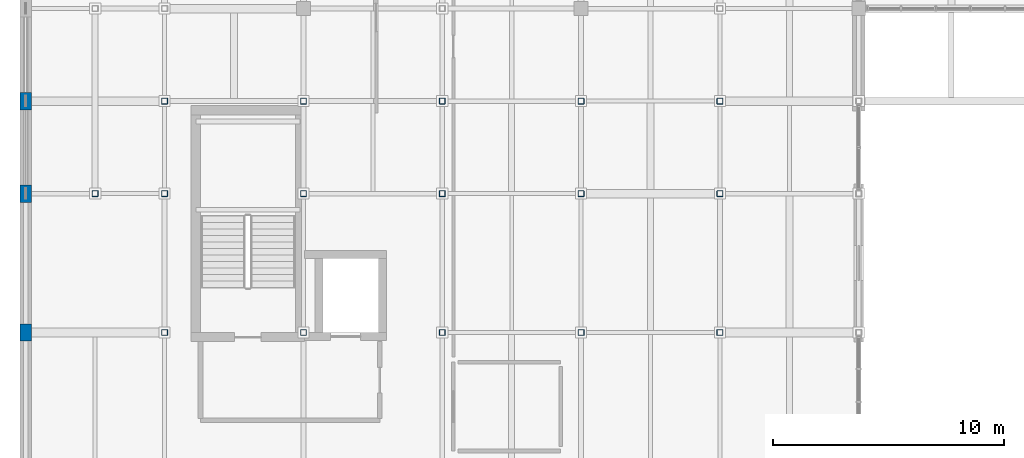
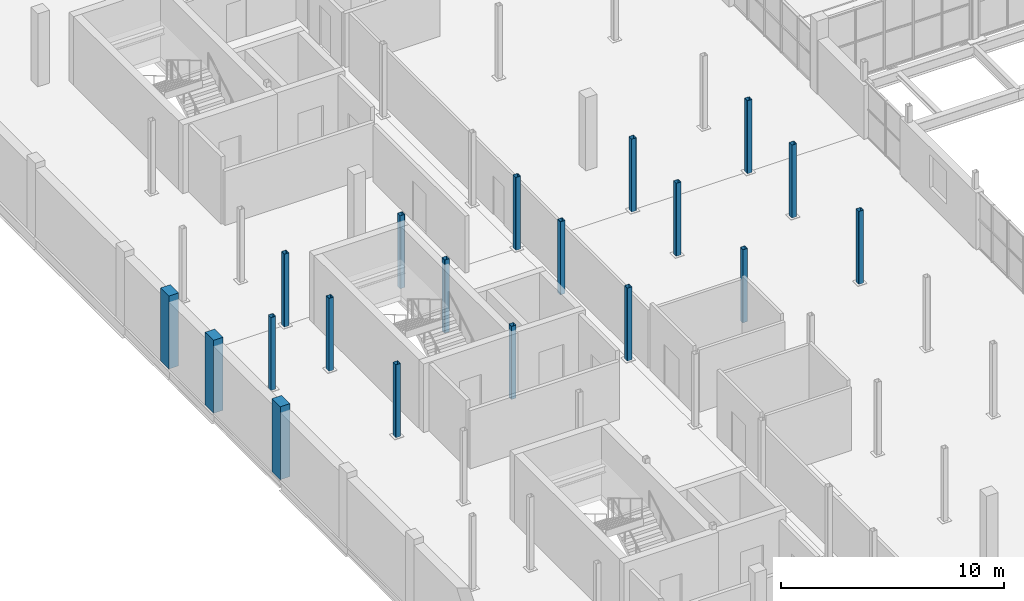
# One storey, part 5 of 96: 19 columns.
"""IFC4 building model written with IfcOpenShell, lengths in metres."""

from ifc_helpers import new_model, si_unit, direction, frame, origin, origin_2d, place, context, subcontext, project, spatial, rectangle, hollow_rectangle, extrude, material, material_profile, profile_set, type_object, element, save


model = new_model("IFC4")

# Units and contexts
model_context = context("Model", 3, precision=1e-05, world=origin(), true_north=direction((0.0, 1.0)))
body_context = subcontext(model_context, "Body", "Model", "MODEL_VIEW")
ifc_project = project(units=[si_unit("LENGTHUNIT", "METRE"), si_unit("AREAUNIT", "SQUARE_METRE"), si_unit("VOLUMEUNIT", "CUBIC_METRE"), si_unit("PLANEANGLEUNIT", "RADIAN"), si_unit("MASSUNIT", "GRAM", prefix="KILO")], contexts=[model_context])

# Site, building, storey
site_placement = place(None, origin())
site = spatial("IfcSite", under=ifc_project, at=site_placement, CompositionType="ELEMENT")
building_placement = place(site_placement, origin())
building = spatial("IfcBuilding", under=site, at=building_placement, Name="Verrall Gate Interchange", CompositionType="ELEMENT")
storey_placement = place(building_placement, frame((0.0, 0.0, 11.39990234375)))
storey = spatial("IfcBuildingStorey", under=building, at=storey_placement, Name="L03", CompositionType="ELEMENT", Elevation=11.39990234375)

# Columns
ifc_material_1 = material(Name="Concrete CSA A23.1 40 MPa (Class C-1)", Category="concrete")
ifc_material_profile_1 = material_profile(ifc_material_1, rectangle(XDim=0.5, YDim=0.75, at=origin_2d()), Name="RC500x750")
ifc_profile_set_1 = profile_set([ifc_material_profile_1], Name="Concrete CSA A23.1 40 MPa (Class C-1)")
column_type_1 = type_object("IfcColumnType", Name="C-05 Pilaster RC500x750", PredefinedType="PILASTER", material=ifc_profile_set_1)
for number, where, z_axis, x_axis, name in (
    (1, (0.0, 34.0, 0.0), (0.0, 0.0, 1.0), (1.0, 0.0, 0.0), "L03 Column COL-L03-0048 (C-05)"),
    (2, (0.0, 40.0, 0.0), (0.0, 0.0, 1.0), (1.0, 0.0, 0.0), "L03 Column COL-L03-0055 (C-05)"),
    (3, (0.0, 44.0, 0.0), (0.0, 0.0, 1.0), (1.0, 0.0, 0.0), "L03 Column COL-L03-0062 (C-05)"),
):
    element("IfcColumn", number, at=place(storey_placement, frame(where, z_axis=z_axis, x_axis=x_axis)), inside=storey, type_object=column_type_1, Name=name, PredefinedType="PILASTER", context=body_context, shape_type="SweptSolid", body=[
        extrude(rectangle(XDim=0.5, YDim=0.75, at=origin_2d()), origin(), (0.0, 0.0, 1.0), 4.0),
    ])
ifc_material_2 = material(Name="Structural Steel CSA G40.21 350WT Cat 4", Category="steel")
ifc_material_profile_2 = material_profile(ifc_material_2, hollow_rectangle(XDim=0.25390625, YDim=0.25390625, WallThickness=0.009521484375, InnerFilletRadius=0.009521484375, OuterFilletRadius=0.01904296875, at=origin_2d()), Name="HSS254x254x9.5")
ifc_profile_set_2 = profile_set([ifc_material_profile_2], Name="Structural Steel CSA G40.21 350WT Cat 4")
column_type_2 = type_object("IfcColumnType", Name="C-13 Column HSS254x254x9.5", PredefinedType="COLUMN", material=ifc_profile_set_2)
for number, where, z_axis, x_axis, name in (
    (4, (3.0, 40.0, 0.0), (0.0, 0.0, 1.0), (1.0, 0.0, 0.0), "L03 Column COL-L03-0119 (C-13)"),
    (5, (6.0, 34.0, 0.0), (0.0, 0.0, 1.0), (1.0, 0.0, 0.0), "L03 Column COL-L03-0185 (C-13)"),
    (6, (6.0, 40.0, 0.0), (0.0, 0.0, 1.0), (1.0, 0.0, 0.0), "L03 Column COL-L03-0194 (C-13)"),
    (7, (6.0, 44.0, 0.0), (0.0, 0.0, 1.0), (1.0, 0.0, 0.0), "L03 Column COL-L03-0203 (C-13)"),
    (8, (12.0, 34.0, 0.0), (0.0, 0.0, 1.0), (1.0, 0.0, 0.0), "L03 Column COL-L03-0302 (C-13)"),
    (9, (12.0, 40.0, 0.0), (0.0, 0.0, 1.0), (1.0, 0.0, 0.0), "L03 Column COL-L03-0311 (C-13)"),
    (10, (12.0, 44.0, 0.0), (0.0, 0.0, 1.0), (1.0, 0.0, 0.0), "L03 Column COL-L03-0320 (C-13)"),
    (11, (18.0, 34.0, 0.0), (0.0, 0.0, 1.0), (1.0, 0.0, 0.0), "L03 Column COL-L03-0419 (C-13)"),
    (12, (18.0, 40.0, 0.0), (0.0, 0.0, 1.0), (1.0, 0.0, 0.0), "L03 Column COL-L03-0428 (C-13)"),
    (13, (18.0, 44.0, 0.0), (0.0, 0.0, 1.0), (1.0, 0.0, 0.0), "L03 Column COL-L03-0437 (C-13)"),
    (14, (24.0, 34.0, 0.0), (0.0, 0.0, 1.0), (1.0, 0.0, 0.0), "L03 Column COL-L03-0536 (C-13)"),
    (15, (24.0, 40.0, 0.0), (0.0, 0.0, 1.0), (1.0, 0.0, 0.0), "L03 Column COL-L03-0545 (C-13)"),
    (16, (24.0, 44.0, 0.0), (0.0, 0.0, 1.0), (1.0, 0.0, 0.0), "L03 Column COL-L03-0554 (C-13)"),
    (17, (30.0, 34.0, 0.0), (0.0, 0.0, 1.0), (1.0, 0.0, 0.0), "L03 Column COL-L03-0653 (C-13)"),
    (18, (30.0, 40.0, 0.0), (0.0, 0.0, 1.0), (1.0, 0.0, 0.0), "L03 Column COL-L03-0662 (C-13)"),
    (19, (30.0, 44.0, 0.0), (0.0, 0.0, 1.0), (1.0, 0.0, 0.0), "L03 Column COL-L03-0671 (C-13)"),
):
    element("IfcColumn", number, at=place(storey_placement, frame(where, z_axis=z_axis, x_axis=x_axis)), inside=storey, type_object=column_type_2, Name=name, PredefinedType="COLUMN", context=body_context, shape_type="SweptSolid", body=[
        extrude(hollow_rectangle(XDim=0.25390625, YDim=0.25390625, WallThickness=0.009521484375, InnerFilletRadius=0.009521484375, OuterFilletRadius=0.01904296875, at=origin_2d()), origin(), (0.0, 0.0, 1.0), 4.0),
    ])

save(model, "model.ifc")
